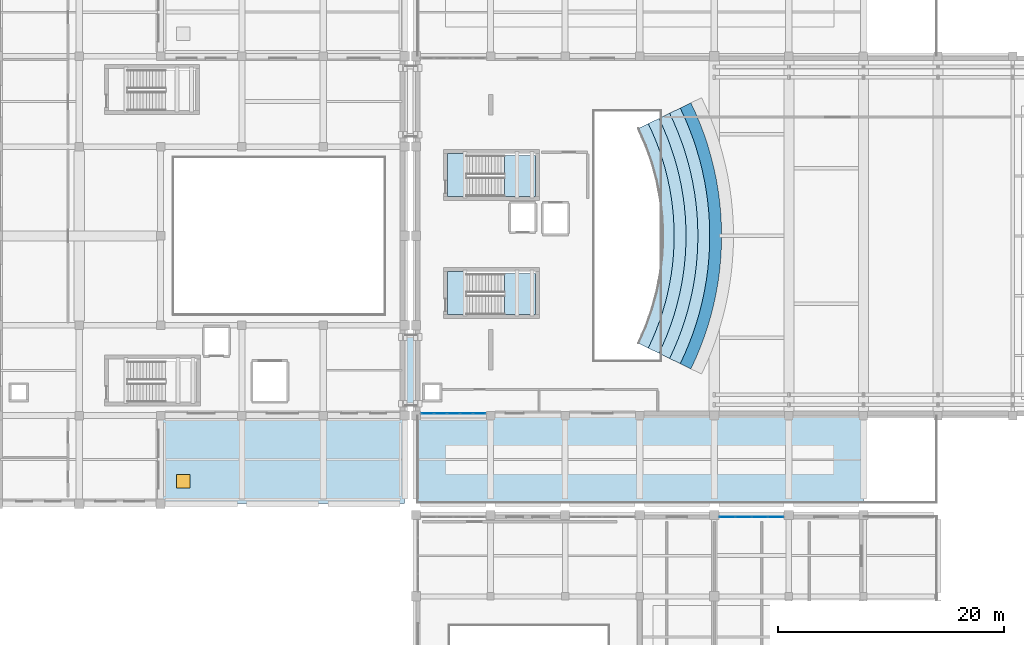
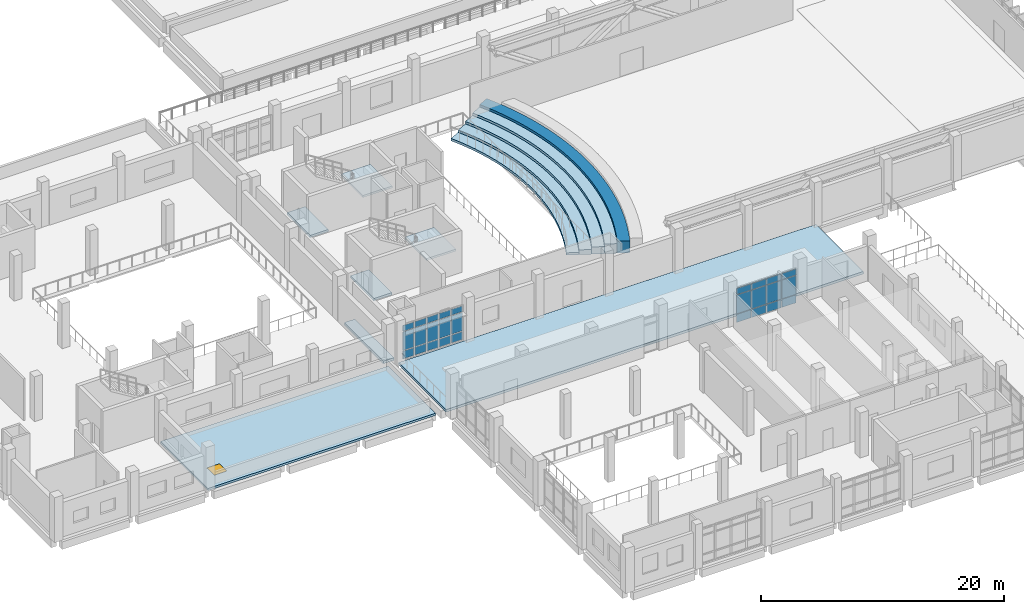
# One storey, part 28 of 54: 27 plates, 12 slabs, 1 window, 1 opening, 4 elements without a shape of their own.
"""IFC4 building model written with IfcOpenShell, lengths in metres."""

import ifcopenshell
import ifcopenshell.guid

model = None  # the IFC model being written
_history = None  # IfcOwnerHistory: only IFC2X3 demands one
_inside = {}  # id of a spatial element -> (the spatial element, [elements in it])
_under = {}  # id of a project, library or spatial element -> (it, [spatial elements below it])
_declared = {}  # id of a project -> (the project, [libraries it declares])
_typed = {}  # id of a type object -> (the type object, [elements of that type])
_made_of = {}  # id of a material, layer set ... -> (it, [elements and type objects made of it])


def new_model(schema):
    """Start an empty IFC model of exactly this schema.

    Asked for "IFC4X3", IfcOpenShell would pick the latest addendum, in which some entities
    have other attributes; the version numbers below select the first issue.
    IFC2X3 requires an IfcOwnerHistory on every rooted entity: one is made here for all.
    """
    global model, _history
    if schema == "IFC4X3":
        model = ifcopenshell.file(schema_version=(4, 3, 0, 0))
    else:
        model = ifcopenshell.file(schema=schema)
    _inside.clear()
    _under.clear()
    _declared.clear()
    _typed.clear()
    _made_of.clear()
    _history = None
    if model.schema == "IFC2X3":
        org = make("IfcOrganization", Name="unknown")
        user = make(
            "IfcPersonAndOrganization",
            ThePerson=make("IfcPerson", FamilyName="unknown"),
            TheOrganization=org,
        )
        app = make(
            "IfcApplication",
            ApplicationDeveloper=org,
            Version="unknown",
            ApplicationFullName="unknown",
            ApplicationIdentifier="unknown",
        )
        _history = make(
            "IfcOwnerHistory",
            OwningUser=user,
            OwningApplication=app,
            ChangeAction="ADDED",
            CreationDate=0,
        )
    return model


def make(cls, **values):
    """One entity of the class cls with the attributes given. An attribute that is None is left unset."""
    return model.create_entity(
        cls, **{name: value for name, value in values.items() if value is not None}
    )


def rooted(cls, **values):
    """An entity with a GlobalId (a new one), such as an element, a storey or a relation."""
    return make(cls, GlobalId=ifcopenshell.guid.new(), OwnerHistory=_history, **values)


def si_unit(unit_type, name, prefix=None):
    """IfcSIUnit, for example si_unit("LENGTHUNIT", "METRE", prefix="MILLI")."""
    return make("IfcSIUnit", UnitType=unit_type, Prefix=prefix, Name=name)


def assignment(units):
    """IfcUnitAssignment: the units of a project."""
    return None if units is None else make("IfcUnitAssignment", Units=units)


def point(xyz):
    """IfcCartesianPoint."""
    return None if xyz is None else make("IfcCartesianPoint", Coordinates=xyz)


def direction(xyz):
    """IfcDirection."""
    return None if xyz is None else make("IfcDirection", DirectionRatios=xyz)


def frame(location, z_axis=None, x_axis=None):
    """IfcAxis2Placement3D, a coordinate frame: its origin and axes. An axis left out is left unset."""
    return make(
        "IfcAxis2Placement3D",
        Location=point(location),
        Axis=direction(z_axis),
        RefDirection=direction(x_axis),
    )


def frame_2d(location, x_axis=None):
    """IfcAxis2Placement2D, a coordinate frame in the plane: its origin and x axis."""
    return make(
        "IfcAxis2Placement2D", Location=point(location), RefDirection=direction(x_axis)
    )


def origin():
    """The frame at (0, 0, 0) with its axes left unset."""
    return frame((0.0, 0.0, 0.0))


def origin_2d():
    """The frame at (0, 0) in the plane with its x axis left unset."""
    return frame_2d((0.0, 0.0))


def place(relative_to, where):
    """IfcLocalPlacement: puts the frame where relative to a parent placement (None: the world)."""
    return make(
        "IfcLocalPlacement", PlacementRelTo=relative_to, RelativePlacement=where
    )


def context(
    kind, dimensions, precision=None, world=None, true_north=None, identifier=None
):
    """IfcGeometricRepresentationContext, for example the 3D "Model" context."""
    return make(
        "IfcGeometricRepresentationContext",
        ContextIdentifier=identifier,
        ContextType=kind,
        CoordinateSpaceDimension=dimensions,
        Precision=precision,
        WorldCoordinateSystem=world,
        TrueNorth=true_north,
    )


def subcontext(parent, identifier, kind, view, scale=None):
    """IfcGeometricRepresentationSubContext, for example "Body" below "Model"."""
    return make(
        "IfcGeometricRepresentationSubContext",
        ContextIdentifier=identifier,
        ContextType=kind,
        ParentContext=parent,
        TargetScale=scale,
        TargetView=view,
    )


def project(units=None, contexts=None):
    """IfcProject with its units and contexts."""
    return rooted(
        "IfcProject",
        Name="project",
        RepresentationContexts=contexts,
        UnitsInContext=assignment(units),
    )


def spatial(cls, under=None, at=None, **own):
    """A site, building, storey or space (cls), placed at a placement, below another one or the project."""
    s = rooted(cls, ObjectPlacement=at, **own)
    if under is not None:
        _under.setdefault(under.id(), (under, []))[1].append(s)
    return s


def polyline(points):
    """IfcPolyline through the points."""
    return make("IfcPolyline", Points=[point(p) for p in points])


def profile(cls, at=None, kind="AREA", **sizes):
    """A parametric profile (cls). Its sizes go by their IFC names, for example OverallWidth=200.0."""
    return make(cls, ProfileType=kind, Position=at, **sizes)


def rectangle(**sizes):
    """IfcRectangleProfileDef."""
    return profile("IfcRectangleProfileDef", **sizes)


def outline(outer, holes=None, kind="AREA"):
    """IfcArbitraryClosedProfileDef: a profile drawn as a closed curve; with holes, ...WithVoids."""
    if holes is None:
        return make("IfcArbitraryClosedProfileDef", ProfileType=kind, OuterCurve=outer)
    return make(
        "IfcArbitraryProfileDefWithVoids",
        ProfileType=kind,
        OuterCurve=outer,
        InnerCurves=holes,
    )


def extrude(swept, where, along, depth):
    """IfcExtrudedAreaSolid: the profile swept, set in the frame where, extruded along a direction by depth."""
    return make(
        "IfcExtrudedAreaSolid",
        SweptArea=swept,
        Position=where,
        ExtrudedDirection=direction(along),
        Depth=depth,
    )


def shape(context_of_items, identifier, shape_type, items):
    """IfcShapeRepresentation: the items that make up one representation, for example the "Body"."""
    return make(
        "IfcShapeRepresentation",
        ContextOfItems=context_of_items,
        RepresentationIdentifier=identifier,
        RepresentationType=shape_type,
        Items=items,
    )


def material(Name=None, Category=None):
    """IfcMaterial."""
    return make("IfcMaterial", Name=Name, Category=Category)


def layer(
    of_material, thickness, ventilated=None, Name=None, Category=None, Priority=None
):
    """IfcMaterialLayer: one layer of a wall or slab, of a material (None: an air gap)."""
    return make(
        "IfcMaterialLayer",
        Material=of_material,
        LayerThickness=thickness,
        IsVentilated=ventilated,
        Name=Name,
        Category=Category,
        Priority=Priority,
    )


def layer_set(layers, Name=None):
    """IfcMaterialLayerSet."""
    return make("IfcMaterialLayerSet", MaterialLayers=layers, LayerSetName=Name)


def made_of(thing, what):
    """Note that an element or type object is made of a material, layer set ...; save() writes the relation."""
    if what is not None:
        _made_of.setdefault(what.id(), (what, []))[1].append(thing)
    return thing


def type_object(cls, material=None, **own):
    """A type object (cls), such as IfcWallType, which elements share."""
    return made_of(rooted(cls, **own), material)


def element(
    cls,
    number,
    at=None,
    inside=None,
    cuts=None,
    type_object=None,
    material=None,
    context=None,
    identifier="Body",
    shape_type=None,
    held_by="IfcProductDefinitionShape",
    body=None,
    shapes=None,
    **own,
):
    """One element of the class cls, such as IfcWall. Its Tag is "e" and its number.

    at: its placement. inside: the storey or other place that contains it. cuts: it is an
    opening in that element (IfcRelVoidsElement). A single representation is given by context,
    identifier, shape_type and body (its items); several are given by shapes. held_by: the class
    of the entity that holds the representations. save() writes the other relations.
    """
    e = rooted(cls, Tag="e%d" % number, ObjectPlacement=at, **own)
    if body is not None:
        shapes = [shape(context, identifier, shape_type, body)]
    if shapes is not None:
        e.Representation = make(held_by, Representations=shapes)
    if inside is not None:
        _inside.setdefault(inside.id(), (inside, []))[1].append(e)
    if cuts is not None:
        rooted(
            "IfcRelVoidsElement", RelatingBuildingElement=cuts, RelatedOpeningElement=e
        )
    if type_object is not None:
        _typed.setdefault(type_object.id(), (type_object, []))[1].append(e)
    return made_of(e, material)


def fill(opening, filler):
    """IfcRelFillsElement: the door or window that sits in an opening."""
    return rooted(
        "IfcRelFillsElement",
        RelatingOpeningElement=opening,
        RelatedBuildingElement=filler,
    )


def aggregate(whole, parts):
    """IfcRelAggregates: a whole, such as a stair, and the parts it consists of."""
    return rooted("IfcRelAggregates", RelatingObject=whole, RelatedObjects=parts)


def save(model, path):
    """Write the relations noted so far, then the file.

    IfcRelAggregates (storeys below a building ...), IfcRelContainedInSpatialStructure (elements
    in a storey), IfcRelDefinesByType, IfcRelAssociatesMaterial and IfcRelDeclares: one each for
    every whole, place, type object, material and project.
    """
    for whole, parts in _under.values():
        aggregate(whole, parts)
    for where, things in _inside.values():
        rooted(
            "IfcRelContainedInSpatialStructure",
            RelatedElements=things,
            RelatingStructure=where,
        )
    for kind, things in _typed.values():
        rooted("IfcRelDefinesByType", RelatedObjects=things, RelatingType=kind)
    for what, things in _made_of.values():
        rooted("IfcRelAssociatesMaterial", RelatedObjects=things, RelatingMaterial=what)
    for by, libraries in _declared.values():
        rooted("IfcRelDeclares", RelatingContext=by, RelatedDefinitions=libraries)
    model.write(path)


model = new_model("IFC4")

# Units and contexts
model_context = context("Model", 3, precision=1e-05, world=origin(), true_north=direction((0.0, 1.0)))
body_context = subcontext(model_context, "Body", "Model", "MODEL_VIEW")
ifc_project = project(units=[si_unit("LENGTHUNIT", "METRE"), si_unit("AREAUNIT", "SQUARE_METRE"), si_unit("VOLUMEUNIT", "CUBIC_METRE"), si_unit("PLANEANGLEUNIT", "RADIAN"), si_unit("MASSUNIT", "GRAM", prefix="KILO")], contexts=[model_context])

# Site, building, storey
site_placement = place(None, origin())
site = spatial("IfcSite", under=ifc_project, at=site_placement, CompositionType="ELEMENT")
building_placement = place(site_placement, origin())
building = spatial("IfcBuilding", under=site, at=building_placement, Name="Kelarvand Opera House", CompositionType="ELEMENT")
storey_placement = place(building_placement, frame((0.0, 0.0, 15.0)))
storey = spatial("IfcBuildingStorey", under=building, at=storey_placement, Name="L03", CompositionType="ELEMENT", Elevation=15.0)

# Curtain wall, plates
ifc_material_1 = material(Name="Thermally broken aluminium and low-E glazing", Category="aluminium")
ifc_layer_1 = layer(ifc_material_1, 0.219970703125, Name="Thermally broken aluminium and low-E glazing", Category="aluminium")
ifc_layer_set_1 = layer_set([ifc_layer_1], Name="Thermally broken aluminium and low-E glazing")
curtain_wall_type_1 = type_object("IfcCurtainWallType", Name="Unitised Low-E Curtain Wall 5795x3520 Mod 1150 CWF-08", PredefinedType="USERDEFINED", material=ifc_layer_set_1)
curtain_wall_1_placement = place(storey_placement, origin())
curtain_wall_1 = element("IfcCurtainWall", 1, at=curtain_wall_1_placement, inside=storey, type_object=curtain_wall_type_1, Name="V1 L03 Curtain Wall CWF-08 (24)", ObjectType="UNITISED CURTAIN WALL", PredefinedType="USERDEFINED")
ifc_material_2 = material(Name="Acoustic triple-laminated low-E glazing", Category="glass")
ifc_layer_2 = layer(ifc_material_2, 0.0400390625, Name="Acoustic triple-laminated low-E glazing", Category="glass")
ifc_layer_set_2 = layer_set([ifc_layer_2], Name="Acoustic triple-laminated low-E glazing")
plate_type_1 = type_object("IfcPlateType", Name="Acoustic Laminated Plaza Curtain Panel 40mm", PredefinedType="CURTAIN_PANEL", material=ifc_layer_set_2)
plate_1_placement = place(storey_placement, frame((94.61669921875, 46.780029296875, 0.074951171875), z_axis=(0.0, 0.0, 1.0), x_axis=(-1.0, 0.0, 0.0)))
plate_1 = element("IfcPlate", 2, at=plate_1_placement, type_object=plate_type_1, Name="CWF-08 panel 1.1", PredefinedType="CURTAIN_PANEL", context=body_context, shape_type="SweptSolid", body=[
    extrude(rectangle(XDim=1.04638671875, YDim=0.0400390625, at=origin_2d()), origin(), (0.0, 0.0, 1.0), 0.78759765625),
])
plate_2_placement = place(storey_placement, frame((94.61669921875, 46.780029296875, 0.9375), z_axis=(0.0, 0.0, 1.0), x_axis=(-1.0, 0.0, 0.0)))
plate_2 = element("IfcPlate", 3, at=plate_2_placement, type_object=plate_type_1, Name="CWF-08 panel 1.2", PredefinedType="CURTAIN_PANEL", context=body_context, shape_type="SweptSolid", body=[
    extrude(rectangle(XDim=1.04638671875, YDim=0.0400390625, at=origin_2d()), origin(), (0.0, 0.0, 1.0), 1.844970703125),
])
plate_3_placement = place(storey_placement, frame((94.61669921875, 46.780029296875, 2.857666015625), z_axis=(0.0, 0.0, 1.0), x_axis=(-1.0, 0.0, 0.0)))
plate_3 = element("IfcPlate", 4, at=plate_3_placement, type_object=plate_type_1, Name="CWF-08 panel 1.3", PredefinedType="CURTAIN_PANEL", context=body_context, shape_type="SweptSolid", body=[
    extrude(rectangle(XDim=1.04638671875, YDim=0.0400390625, at=origin_2d()), origin(), (0.0, 0.0, 1.0), 0.58740234375),
])
plate_4_placement = place(storey_placement, frame((93.4765625, 46.780029296875, 0.074951171875), z_axis=(0.0, 0.0, 1.0), x_axis=(-1.0, 0.0, 0.0)))
plate_4 = element("IfcPlate", 5, at=plate_4_placement, type_object=plate_type_1, Name="CWF-08 panel 2.1", PredefinedType="CURTAIN_PANEL", context=body_context, shape_type="SweptSolid", body=[
    extrude(rectangle(XDim=1.083984375, YDim=0.0400390625, at=origin_2d()), origin(), (0.0, 0.0, 1.0), 0.78759765625),
])
plate_5_placement = place(storey_placement, frame((93.4765625, 46.780029296875, 0.9375), z_axis=(0.0, 0.0, 1.0), x_axis=(-1.0, 0.0, 0.0)))
plate_5 = element("IfcPlate", 6, at=plate_5_placement, type_object=plate_type_1, Name="CWF-08 panel 2.2", PredefinedType="CURTAIN_PANEL", context=body_context, shape_type="SweptSolid", body=[
    extrude(rectangle(XDim=1.083984375, YDim=0.0400390625, at=origin_2d()), origin(), (0.0, 0.0, 1.0), 1.844970703125),
])
plate_6_placement = place(storey_placement, frame((93.4765625, 46.780029296875, 2.857666015625), z_axis=(0.0, 0.0, 1.0), x_axis=(-1.0, 0.0, 0.0)))
plate_6 = element("IfcPlate", 7, at=plate_6_placement, type_object=plate_type_1, Name="CWF-08 panel 2.3", PredefinedType="CURTAIN_PANEL", context=body_context, shape_type="SweptSolid", body=[
    extrude(rectangle(XDim=1.083984375, YDim=0.0400390625, at=origin_2d()), origin(), (0.0, 0.0, 1.0), 0.58740234375),
])
plate_7_placement = place(storey_placement, frame((92.3173828125, 46.780029296875, 0.074951171875), z_axis=(0.0, 0.0, 1.0), x_axis=(-1.0, 0.0, 0.0)))
plate_7 = element("IfcPlate", 8, at=plate_7_placement, type_object=plate_type_1, Name="CWF-08 panel 3.1", PredefinedType="CURTAIN_PANEL", context=body_context, shape_type="SweptSolid", body=[
    extrude(rectangle(XDim=1.083984375, YDim=0.0400390625, at=origin_2d()), origin(), (0.0, 0.0, 1.0), 0.78759765625),
])
plate_8_placement = place(storey_placement, frame((92.3173828125, 46.780029296875, 0.9375), z_axis=(0.0, 0.0, 1.0), x_axis=(-1.0, 0.0, 0.0)))
plate_8 = element("IfcPlate", 9, at=plate_8_placement, type_object=plate_type_1, Name="CWF-08 panel 3.2", PredefinedType="CURTAIN_PANEL", context=body_context, shape_type="SweptSolid", body=[
    extrude(rectangle(XDim=1.083984375, YDim=0.0400390625, at=origin_2d()), origin(), (0.0, 0.0, 1.0), 1.844970703125),
])
plate_9_placement = place(storey_placement, frame((92.3173828125, 46.780029296875, 2.857666015625), z_axis=(0.0, 0.0, 1.0), x_axis=(-1.0, 0.0, 0.0)))
plate_9 = element("IfcPlate", 10, at=plate_9_placement, type_object=plate_type_1, Name="CWF-08 panel 3.3", PredefinedType="CURTAIN_PANEL", context=body_context, shape_type="SweptSolid", body=[
    extrude(rectangle(XDim=1.083984375, YDim=0.0400390625, at=origin_2d()), origin(), (0.0, 0.0, 1.0), 0.58740234375),
])
plate_10_placement = place(storey_placement, frame((91.158447265625, 46.780029296875, 0.074951171875), z_axis=(0.0, 0.0, 1.0), x_axis=(-1.0, 0.0, 0.0)))
plate_10 = element("IfcPlate", 11, at=plate_10_placement, type_object=plate_type_1, Name="CWF-08 panel 4.1", PredefinedType="CURTAIN_PANEL", context=body_context, shape_type="SweptSolid", body=[
    extrude(rectangle(XDim=1.083984375, YDim=0.0400390625, at=origin_2d()), origin(), (0.0, 0.0, 1.0), 0.78759765625),
])
plate_11_placement = place(storey_placement, frame((91.158447265625, 46.780029296875, 0.9375), z_axis=(0.0, 0.0, 1.0), x_axis=(-1.0, 0.0, 0.0)))
plate_11 = element("IfcPlate", 12, at=plate_11_placement, type_object=plate_type_1, Name="CWF-08 panel 4.2", PredefinedType="CURTAIN_PANEL", context=body_context, shape_type="SweptSolid", body=[
    extrude(rectangle(XDim=1.083984375, YDim=0.0400390625, at=origin_2d()), origin(), (0.0, 0.0, 1.0), 1.844970703125),
])
plate_12_placement = place(storey_placement, frame((91.158447265625, 46.780029296875, 2.857666015625), z_axis=(0.0, 0.0, 1.0), x_axis=(-1.0, 0.0, 0.0)))
plate_12 = element("IfcPlate", 13, at=plate_12_placement, type_object=plate_type_1, Name="CWF-08 panel 4.3", PredefinedType="CURTAIN_PANEL", context=body_context, shape_type="SweptSolid", body=[
    extrude(rectangle(XDim=1.083984375, YDim=0.0400390625, at=origin_2d()), origin(), (0.0, 0.0, 1.0), 0.58740234375),
])
plate_13_placement = place(storey_placement, frame((90.018310546875, 46.780029296875, 0.074951171875), z_axis=(0.0, 0.0, 1.0), x_axis=(-1.0, 0.0, 0.0)))
plate_13 = element("IfcPlate", 14, at=plate_13_placement, type_object=plate_type_1, Name="CWF-08 panel 5.1", PredefinedType="CURTAIN_PANEL", context=body_context, shape_type="SweptSolid", body=[
    extrude(rectangle(XDim=1.04638671875, YDim=0.0400390625, at=origin_2d()), origin(), (0.0, 0.0, 1.0), 0.78759765625),
])
plate_14_placement = place(storey_placement, frame((90.018310546875, 46.780029296875, 0.9375), z_axis=(0.0, 0.0, 1.0), x_axis=(-1.0, 0.0, 0.0)))
plate_14 = element("IfcPlate", 15, at=plate_14_placement, type_object=plate_type_1, Name="CWF-08 panel 5.2", PredefinedType="CURTAIN_PANEL", context=body_context, shape_type="SweptSolid", body=[
    extrude(rectangle(XDim=1.04638671875, YDim=0.0400390625, at=origin_2d()), origin(), (0.0, 0.0, 1.0), 1.844970703125),
])
plate_15_placement = place(storey_placement, frame((90.018310546875, 46.780029296875, 2.857666015625), z_axis=(0.0, 0.0, 1.0), x_axis=(-1.0, 0.0, 0.0)))
plate_15 = element("IfcPlate", 16, at=plate_15_placement, type_object=plate_type_1, Name="CWF-08 panel 5.3", PredefinedType="CURTAIN_PANEL", context=body_context, shape_type="SweptSolid", body=[
    extrude(rectangle(XDim=1.04638671875, YDim=0.0400390625, at=origin_2d()), origin(), (0.0, 0.0, 1.0), 0.58740234375),
])
aggregate(curtain_wall_1, [plate_1, plate_2, plate_3, plate_4, plate_5, plate_6, plate_7, plate_8, plate_9, plate_10, plate_11, plate_12, plate_13, plate_14, plate_15])

# Slabs
ifc_material_3 = material(Name="Concrete C35/45", Category="concrete")
ifc_layer_3 = layer(ifc_material_3, 0.219970703125, Name="Concrete C35/45", Category="concrete")
ifc_layer_set_3 = layer_set([ifc_layer_3], Name="Concrete C35/45")
slab_type_1 = type_object("IfcSlabType", Name="Core Stair Entry Landing Slab 220", PredefinedType="LANDING", material=ifc_layer_set_3)
slab_1_placement = place(storey_placement, frame((0.0, 0.0, -0.219970703125)))
element("IfcSlab", 17, at=slab_1_placement, inside=storey, type_object=slab_type_1, Name="C1 Stair Entry Landing L03", PredefinedType="LANDING", context=body_context, shape_type="SweptSolid", body=[
    extrude(outline(polyline([(91.800048828125, 66.0), (93.52001953125, 66.0), (93.52001953125, 69.800048828125), (91.800048828125, 69.800048828125), (91.800048828125, 66.0)])), origin(), (0.0, 0.0, 1.0), 0.219970703125),
])
slab_2_placement = place(storey_placement, frame((0.0, 0.0, -0.219970703125)))
element("IfcSlab", 18, at=slab_2_placement, inside=storey, type_object=slab_type_1, Name="C4 Stair Entry Landing L03", PredefinedType="LANDING", context=body_context, shape_type="SweptSolid", body=[
    extrude(outline(polyline([(91.800048828125, 55.550048828125), (93.52001953125, 55.550048828125), (93.52001953125, 59.35009765625), (91.800048828125, 59.35009765625), (91.800048828125, 55.550048828125)])), origin(), (0.0, 0.0, 1.0), 0.219970703125),
])

# Slab, opening, window
ifc_layer_4 = layer(ifc_material_3, 0.219970703125, Name="Concrete C35/45", Category="concrete")
ifc_layer_set_4 = layer_set([ifc_layer_4], Name="Concrete C35/45")
slab_type_2 = type_object("IfcSlabType", Name="Flat Structural Roof Slab 220", PredefinedType="ROOF", material=ifc_layer_set_4)
slab_3_placement = place(storey_placement, frame((0.0, 0.0, -0.219970703125)))
slab_3 = element("IfcSlab", 19, at=slab_3_placement, inside=storey, type_object=slab_type_2, Name="V2 Flat Roof Slab L03 1", PredefinedType="ROOF", context=body_context, shape_type="SweptSolid", body=[
    extrude(outline(polyline([(66.39990234375, 38.800048828125), (88.0, 38.800048828125), (88.0, 46.60009765625), (66.39990234375, 46.60009765625), (66.39990234375, 38.800048828125)])), origin(), (0.0, 0.0, 1.0), 0.219970703125),
])
opening_placement = place(slab_3_placement, frame((68.39990234375, 40.800048828125, 0.0)))
opening = element("IfcOpeningElement", 20, at=opening_placement, cuts=slab_3, Name="Opening RH-01", PredefinedType="OPENING", context=body_context, shape_type="SweptSolid", body=[
    extrude(rectangle(XDim=1.199951171875, YDim=1.199951171875, at=origin_2d()), frame((0.0, 0.0, -0.010009765625)), (0.0, 0.0, 1.0), 0.239990234375),
])
ifc_material_4 = material(Name="Insulated aluminium roof access hatch", Category="aluminium")
window_type = type_object("IfcWindowType", Name="Insulated Flat-Roof Maintenance Access Hatch 1200x1200", PartitioningType="SINGLE_PANEL", PredefinedType="SKYLIGHT", material=ifc_material_4)
window_placement = place(opening_placement, frame((0.0, 0.0, 0.169921875)))
window = element("IfcWindow", 21, at=window_placement, inside=storey, type_object=window_type, Name="V2 Maintenance Roof Hatch 2", OverallHeight=1.199951171875, OverallWidth=1.199951171875, PartitioningType="SINGLE_PANEL", PredefinedType="SKYLIGHT", context=body_context, shape_type="SweptSolid", body=[
    extrude(rectangle(XDim=1.199951171875, YDim=1.199951171875, at=origin_2d()), origin(), (0.0, 0.0, 1.0), 0.050048828125),
])
fill(opening, window)

# Curtain wall, plates
ifc_layer_5 = layer(ifc_material_1, 0.179931640625, Name="Thermally broken aluminium and low-E glazing", Category="aluminium")
ifc_layer_set_5 = layer_set([ifc_layer_5], Name="Thermally broken aluminium and low-E glazing")
curtain_wall_type_2 = type_object("IfcCurtainWallType", Name="Unitised Low-E Curtain Wall 5760x3530 Mod 1350 CWF-58", PredefinedType="USERDEFINED", material=ifc_layer_set_5)
curtain_wall_2_placement = place(storey_placement, origin())
curtain_wall_2 = element("IfcCurtainWall", 22, at=curtain_wall_2_placement, inside=storey, type_object=curtain_wall_type_2, Name="V6 L03 Curtain Wall CWF-58 (233)", ObjectType="UNITISED CURTAIN WALL", PredefinedType="USERDEFINED")
ifc_material_5 = material(Name="Low-E laminated double glazing", Category="glass")
ifc_layer_6 = layer(ifc_material_5, 0.031982421875, Name="Low-E laminated double glazing", Category="glass")
ifc_layer_set_6 = layer_set([ifc_layer_6], Name="Low-E laminated double glazing")
plate_type_2 = type_object("IfcPlateType", Name="Low-E Argon Double Glazed Curtain Panel 32mm", PredefinedType="CURTAIN_PANEL", material=ifc_layer_set_6)
plate_16_placement = place(storey_placement, frame((116.55615234375, 37.6201171875, 0.06494140625), z_axis=(0.0, 0.0, 1.0), x_axis=(1.0, 0.0, 0.0)))
plate_16 = element("IfcPlate", 23, at=plate_16_placement, type_object=plate_type_2, Name="CWF-58 panel 1.1", PredefinedType="CURTAIN_PANEL", context=body_context, shape_type="SweptSolid", body=[
    extrude(rectangle(XDim=1.342529296875, YDim=0.031982421875, at=origin_2d()), origin(), (0.0, 0.0, 1.0), 0.802490234375),
])
plate_17_placement = place(storey_placement, frame((116.55615234375, 37.6201171875, 0.9326171875), z_axis=(0.0, 0.0, 1.0), x_axis=(1.0, 0.0, 0.0)))
plate_17 = element("IfcPlate", 24, at=plate_17_placement, type_object=plate_type_2, Name="CWF-58 panel 1.2", PredefinedType="CURTAIN_PANEL", context=body_context, shape_type="SweptSolid", body=[
    extrude(rectangle(XDim=1.342529296875, YDim=0.031982421875, at=origin_2d()), origin(), (0.0, 0.0, 1.0), 1.864990234375),
])
plate_18_placement = place(storey_placement, frame((116.55615234375, 37.6201171875, 2.862548828125), z_axis=(0.0, 0.0, 1.0), x_axis=(1.0, 0.0, 0.0)))
plate_18 = element("IfcPlate", 25, at=plate_18_placement, type_object=plate_type_2, Name="CWF-58 panel 1.3", PredefinedType="CURTAIN_PANEL", context=body_context, shape_type="SweptSolid", body=[
    extrude(rectangle(XDim=1.342529296875, YDim=0.031982421875, at=origin_2d()), origin(), (0.0, 0.0, 1.0), 0.6025390625),
])
plate_19_placement = place(storey_placement, frame((117.97998046875, 37.6201171875, 0.06494140625), z_axis=(0.0, 0.0, 1.0), x_axis=(1.0, 0.0, 0.0)))
plate_19 = element("IfcPlate", 26, at=plate_19_placement, type_object=plate_type_2, Name="CWF-58 panel 2.1", PredefinedType="CURTAIN_PANEL", context=body_context, shape_type="SweptSolid", body=[
    extrude(rectangle(XDim=1.375, YDim=0.031982421875, at=origin_2d()), origin(), (0.0, 0.0, 1.0), 0.802490234375),
])
plate_20_placement = place(storey_placement, frame((117.97998046875, 37.6201171875, 0.9326171875), z_axis=(0.0, 0.0, 1.0), x_axis=(1.0, 0.0, 0.0)))
plate_20 = element("IfcPlate", 27, at=plate_20_placement, type_object=plate_type_2, Name="CWF-58 panel 2.2", PredefinedType="CURTAIN_PANEL", context=body_context, shape_type="SweptSolid", body=[
    extrude(rectangle(XDim=1.375, YDim=0.031982421875, at=origin_2d()), origin(), (0.0, 0.0, 1.0), 1.864990234375),
])
plate_21_placement = place(storey_placement, frame((117.97998046875, 37.6201171875, 2.862548828125), z_axis=(0.0, 0.0, 1.0), x_axis=(1.0, 0.0, 0.0)))
plate_21 = element("IfcPlate", 28, at=plate_21_placement, type_object=plate_type_2, Name="CWF-58 panel 2.3", PredefinedType="CURTAIN_PANEL", context=body_context, shape_type="SweptSolid", body=[
    extrude(rectangle(XDim=1.375, YDim=0.031982421875, at=origin_2d()), origin(), (0.0, 0.0, 1.0), 0.6025390625),
])
plate_22_placement = place(storey_placement, frame((119.419921875, 37.6201171875, 0.06494140625), z_axis=(0.0, 0.0, 1.0), x_axis=(1.0, 0.0, 0.0)))
plate_22 = element("IfcPlate", 29, at=plate_22_placement, type_object=plate_type_2, Name="CWF-58 panel 3.1", PredefinedType="CURTAIN_PANEL", context=body_context, shape_type="SweptSolid", body=[
    extrude(rectangle(XDim=1.375, YDim=0.031982421875, at=origin_2d()), origin(), (0.0, 0.0, 1.0), 0.802490234375),
])
plate_23_placement = place(storey_placement, frame((119.419921875, 37.6201171875, 0.9326171875), z_axis=(0.0, 0.0, 1.0), x_axis=(1.0, 0.0, 0.0)))
plate_23 = element("IfcPlate", 30, at=plate_23_placement, type_object=plate_type_2, Name="CWF-58 panel 3.2", PredefinedType="CURTAIN_PANEL", context=body_context, shape_type="SweptSolid", body=[
    extrude(rectangle(XDim=1.375, YDim=0.031982421875, at=origin_2d()), origin(), (0.0, 0.0, 1.0), 1.864990234375),
])
plate_24_placement = place(storey_placement, frame((119.419921875, 37.6201171875, 2.862548828125), z_axis=(0.0, 0.0, 1.0), x_axis=(1.0, 0.0, 0.0)))
plate_24 = element("IfcPlate", 31, at=plate_24_placement, type_object=plate_type_2, Name="CWF-58 panel 3.3", PredefinedType="CURTAIN_PANEL", context=body_context, shape_type="SweptSolid", body=[
    extrude(rectangle(XDim=1.375, YDim=0.031982421875, at=origin_2d()), origin(), (0.0, 0.0, 1.0), 0.6025390625),
])
plate_25_placement = place(storey_placement, frame((120.84375, 37.6201171875, 0.06494140625), z_axis=(0.0, 0.0, 1.0), x_axis=(1.0, 0.0, 0.0)))
plate_25 = element("IfcPlate", 32, at=plate_25_placement, type_object=plate_type_2, Name="CWF-58 panel 4.1", PredefinedType="CURTAIN_PANEL", context=body_context, shape_type="SweptSolid", body=[
    extrude(rectangle(XDim=1.342529296875, YDim=0.031982421875, at=origin_2d()), origin(), (0.0, 0.0, 1.0), 0.802490234375),
])
plate_26_placement = place(storey_placement, frame((120.84375, 37.6201171875, 0.9326171875), z_axis=(0.0, 0.0, 1.0), x_axis=(1.0, 0.0, 0.0)))
plate_26 = element("IfcPlate", 33, at=plate_26_placement, type_object=plate_type_2, Name="CWF-58 panel 4.2", PredefinedType="CURTAIN_PANEL", context=body_context, shape_type="SweptSolid", body=[
    extrude(rectangle(XDim=1.342529296875, YDim=0.031982421875, at=origin_2d()), origin(), (0.0, 0.0, 1.0), 1.864990234375),
])
plate_27_placement = place(storey_placement, frame((120.84375, 37.6201171875, 2.862548828125), z_axis=(0.0, 0.0, 1.0), x_axis=(1.0, 0.0, 0.0)))
plate_27 = element("IfcPlate", 34, at=plate_27_placement, type_object=plate_type_2, Name="CWF-58 panel 4.3", PredefinedType="CURTAIN_PANEL", context=body_context, shape_type="SweptSolid", body=[
    extrude(rectangle(XDim=1.342529296875, YDim=0.031982421875, at=origin_2d()), origin(), (0.0, 0.0, 1.0), 0.6025390625),
])
aggregate(curtain_wall_2, [plate_16, plate_17, plate_18, plate_19, plate_20, plate_21, plate_22, plate_23, plate_24, plate_25, plate_26, plate_27])

# Slab
ifc_layer_7 = layer(ifc_material_3, 0.25, Name="Concrete C35/45", Category="concrete")
ifc_layer_set_7 = layer_set([ifc_layer_7], Name="Concrete C35/45")
slab_type_3 = type_object("IfcSlabType", Name="Planted Roof Garden Terrace Slab 250", PredefinedType="FLOOR", material=ifc_layer_set_7)
slab_4_placement = place(storey_placement, frame((0.0, 0.0, -0.25)))
element("IfcSlab", 35, at=slab_4_placement, inside=storey, type_object=slab_type_3, Name="V1 L03 Planted Roof Terrace 1", PredefinedType="FLOOR", context=body_context, shape_type="SweptSolid", body=[
    extrude(outline(polyline([(89.0, 38.800048828125), (128.60009765625, 38.800048828125), (128.60009765625, 46.60009765625), (89.0, 46.60009765625), (89.0, 38.800048828125)])), origin(), (0.0, 0.0, 1.0), 0.25),
])

# Stair, slab
stair_type = type_object("IfcStairType", Name="Dogleg Concrete Exit Stair 1660mm 26R STA-03", PredefinedType="HALF_TURN_STAIR", material=ifc_material_3)
stair_1_placement = place(storey_placement, origin())
stair_1 = element("IfcStair", 36, at=stair_1_placement, inside=storey, type_object=stair_type, Name="L03 Auditorium North Firefighting and Public Core C1 Stair ST-01", PredefinedType="HALF_TURN_STAIR")
ifc_layer_8 = layer(ifc_material_3, 0.199951171875, Name="Concrete C35/45", Category="concrete")
ifc_layer_set_8 = layer_set([ifc_layer_8], Name="Concrete C35/45")
slab_type_4 = type_object("IfcSlabType", Name="Precast Stair Half-Landing Slab 200", PredefinedType="LANDING", material=ifc_layer_set_8)
slab_5_placement = place(storey_placement, frame((0.0, 0.0, 2.050048828125)))
slab_5 = element("IfcSlab", 37, at=slab_5_placement, type_object=slab_type_4, Name="ST-01 landing 1", PredefinedType="LANDING", context=body_context, shape_type="SweptSolid", body=[
    extrude(outline(polyline([(96.820068359375, 66.0), (99.60009765625, 66.0), (99.60009765625, 69.60009765625), (96.820068359375, 69.60009765625), (96.820068359375, 66.0)])), origin(), (0.0, 0.0, 1.0), 0.199951171875),
])
aggregate(stair_1, [slab_5])

stair_2_placement = place(storey_placement, origin())
stair_2 = element("IfcStair", 38, at=stair_2_placement, inside=storey, type_object=stair_type, Name="L03 Auditorium South Foyer Core C4 Stair ST-04", PredefinedType="HALF_TURN_STAIR")
slab_6_placement = place(storey_placement, frame((0.0, 0.0, 2.050048828125)))
slab_6 = element("IfcSlab", 39, at=slab_6_placement, type_object=slab_type_4, Name="ST-04 landing 1", PredefinedType="LANDING", context=body_context, shape_type="SweptSolid", body=[
    extrude(outline(polyline([(96.820068359375, 55.550048828125), (99.60009765625, 55.550048828125), (99.60009765625, 59.14990234375), (96.820068359375, 59.14990234375), (96.820068359375, 55.550048828125)])), origin(), (0.0, 0.0, 1.0), 0.199951171875),
])
aggregate(stair_2, [slab_6])

# Slabs
ifc_material_6 = material(Name="Precast concrete C40/50", Category="concrete")
ifc_layer_9 = layer(ifc_material_6, 0.199951171875, Name="Precast concrete C40/50", Category="concrete")
ifc_layer_set_9 = layer_set([ifc_layer_9], Name="Precast concrete C40/50")
slab_type_5 = type_object("IfcSlabType", Name="Precast Stepped Seating Tier 200", PredefinedType="USERDEFINED", material=ifc_layer_set_9)
slab_7_placement = place(storey_placement, origin())
element("IfcSlab", 40, at=slab_7_placement, inside=storey, type_object=slab_type_5, Name="Auditorium Horseshoe Tier 2 Step 1", ObjectType="SEATING TIER", PredefinedType="USERDEFINED", context=body_context, shape_type="SweptSolid", body=[
    extrude(outline(polyline([(108.614013671875, 53.03125), (108.9580078125, 53.77197265625), (109.27392578125, 54.525146484375), (109.56103515625, 55.289794921875), (109.819091796875, 56.064697265625), (110.047607421875, 56.848876953125), (110.246337890625, 57.64111328125), (110.4150390625, 58.440185546875), (110.553466796875, 59.2451171875), (110.6611328125, 60.0546875), (110.73828125, 60.867919921875), (110.78466796875, 61.683349609375), (110.800048828125, 62.5), (110.78466796875, 63.316650390625), (110.73828125, 64.132080078125), (110.6611328125, 64.9453125), (110.553466796875, 65.7548828125), (110.4150390625, 66.559814453125), (110.246337890625, 67.35888671875), (110.047607421875, 68.151123046875), (109.819091796875, 68.935302734375), (109.56103515625, 69.710205078125), (109.27392578125, 70.474853515625), (108.9580078125, 71.22802734375), (108.614013671875, 71.96875), (109.5576171875, 72.42919921875), (109.91845703125, 71.65234375), (110.249755859375, 70.862548828125), (110.55078125, 70.060791015625), (110.8212890625, 69.248046875), (111.06103515625, 68.42578125), (111.26953125, 67.59521484375), (111.4462890625, 66.757080078125), (111.59130859375, 65.9130859375), (111.704345703125, 65.064208984375), (111.785400390625, 64.21142578125), (111.833740234375, 63.356201171875), (111.85009765625, 62.5), (111.833740234375, 61.643798828125), (111.785400390625, 60.78857421875), (111.704345703125, 59.935791015625), (111.59130859375, 59.0869140625), (111.4462890625, 58.242919921875), (111.26953125, 57.40478515625), (111.06103515625, 56.57421875), (110.8212890625, 55.751953125), (110.55078125, 54.939208984375), (110.249755859375, 54.137451171875), (109.91845703125, 53.34765625), (109.5576171875, 52.57080078125), (108.614013671875, 53.03125)])), origin(), (0.0, 0.0, 1.0), 0.239990234375),
])
slab_8_placement = place(storey_placement, origin())
element("IfcSlab", 41, at=slab_8_placement, inside=storey, type_object=slab_type_5, Name="Auditorium Horseshoe Tier 2 Step 2", ObjectType="SEATING TIER", PredefinedType="USERDEFINED", context=body_context, shape_type="SweptSolid", body=[
    extrude(outline(polyline([(109.5576171875, 52.57080078125), (109.91845703125, 53.34765625), (110.249755859375, 54.137451171875), (110.55078125, 54.939208984375), (110.8212890625, 55.751953125), (111.06103515625, 56.57421875), (111.26953125, 57.40478515625), (111.4462890625, 58.242919921875), (111.59130859375, 59.0869140625), (111.704345703125, 59.935791015625), (111.785400390625, 60.78857421875), (111.833740234375, 61.643798828125), (111.85009765625, 62.5), (111.833740234375, 63.356201171875), (111.785400390625, 64.21142578125), (111.704345703125, 65.064208984375), (111.59130859375, 65.9130859375), (111.4462890625, 66.757080078125), (111.26953125, 67.59521484375), (111.06103515625, 68.42578125), (110.8212890625, 69.248046875), (110.55078125, 70.060791015625), (110.249755859375, 70.862548828125), (109.91845703125, 71.65234375), (109.5576171875, 72.42919921875), (110.50146484375, 72.889404296875), (110.87890625, 72.07666015625), (111.2255859375, 71.250244140625), (111.54052734375, 70.4111328125), (111.82373046875, 69.560791015625), (112.074462890625, 68.70068359375), (112.29248046875, 67.831298828125), (112.4775390625, 66.95458984375), (112.62939453125, 66.0712890625), (112.747802734375, 65.182861328125), (112.832275390625, 64.290771484375), (112.883056640625, 63.39599609375), (112.89990234375, 62.5), (112.883056640625, 61.60400390625), (112.832275390625, 60.709228515625), (112.747802734375, 59.817138671875), (112.62939453125, 58.9287109375), (112.4775390625, 58.04541015625), (112.29248046875, 57.168701171875), (112.074462890625, 56.29931640625), (111.82373046875, 55.439208984375), (111.54052734375, 54.5888671875), (111.2255859375, 53.749755859375), (110.87890625, 52.92333984375), (110.50146484375, 52.110595703125), (109.5576171875, 52.57080078125)])), origin(), (0.0, 0.0, 1.0), 0.47998046875),
])
slab_9_placement = place(storey_placement, origin())
element("IfcSlab", 42, at=slab_9_placement, inside=storey, type_object=slab_type_5, Name="Auditorium Horseshoe Tier 2 Step 3", ObjectType="SEATING TIER", PredefinedType="USERDEFINED", context=body_context, shape_type="SweptSolid", body=[
    extrude(outline(polyline([(110.50146484375, 52.110595703125), (110.87890625, 52.92333984375), (111.2255859375, 53.749755859375), (111.54052734375, 54.5888671875), (111.82373046875, 55.439208984375), (112.074462890625, 56.29931640625), (112.29248046875, 57.168701171875), (112.4775390625, 58.04541015625), (112.62939453125, 58.9287109375), (112.747802734375, 59.817138671875), (112.832275390625, 60.709228515625), (112.883056640625, 61.60400390625), (112.89990234375, 62.5), (112.883056640625, 63.39599609375), (112.832275390625, 64.290771484375), (112.747802734375, 65.182861328125), (112.62939453125, 66.0712890625), (112.4775390625, 66.95458984375), (112.29248046875, 67.831298828125), (112.074462890625, 68.70068359375), (111.82373046875, 69.560791015625), (111.54052734375, 70.4111328125), (111.2255859375, 71.250244140625), (110.87890625, 72.07666015625), (110.50146484375, 72.889404296875), (111.4453125, 73.349609375), (111.83935546875, 72.5009765625), (112.201416015625, 71.637939453125), (112.530517578125, 70.76171875), (112.825927734375, 69.873779296875), (113.087890625, 68.975341796875), (113.315673828125, 68.0673828125), (113.5087890625, 67.15185546875), (113.66748046875, 66.2294921875), (113.791015625, 65.3017578125), (113.879150390625, 64.3701171875), (113.932373046875, 63.435791015625), (113.949951171875, 62.5), (113.932373046875, 61.564208984375), (113.879150390625, 60.6298828125), (113.791015625, 59.6982421875), (113.66748046875, 58.7705078125), (113.5087890625, 57.84814453125), (113.315673828125, 56.9326171875), (113.087890625, 56.024658203125), (112.825927734375, 55.126220703125), (112.530517578125, 54.23828125), (112.201416015625, 53.362060546875), (111.83935546875, 52.4990234375), (111.4453125, 51.650390625), (110.50146484375, 52.110595703125)])), origin(), (0.0, 0.0, 1.0), 0.719970703125),
])
slab_10_placement = place(storey_placement, origin())
element("IfcSlab", 43, at=slab_10_placement, inside=storey, type_object=slab_type_5, Name="Auditorium Horseshoe Tier 2 Step 4", ObjectType="SEATING TIER", PredefinedType="USERDEFINED", context=body_context, shape_type="SweptSolid", body=[
    extrude(outline(polyline([(111.4453125, 51.650390625), (111.83935546875, 52.4990234375), (112.201416015625, 53.362060546875), (112.530517578125, 54.23828125), (112.825927734375, 55.126220703125), (113.087890625, 56.024658203125), (113.315673828125, 56.9326171875), (113.5087890625, 57.84814453125), (113.66748046875, 58.7705078125), (113.791015625, 59.6982421875), (113.879150390625, 60.6298828125), (113.932373046875, 61.564208984375), (113.949951171875, 62.5), (113.932373046875, 63.435791015625), (113.879150390625, 64.3701171875), (113.791015625, 65.3017578125), (113.66748046875, 66.2294921875), (113.5087890625, 67.15185546875), (113.315673828125, 68.0673828125), (113.087890625, 68.975341796875), (112.825927734375, 69.873779296875), (112.530517578125, 70.76171875), (112.201416015625, 71.637939453125), (111.83935546875, 72.5009765625), (111.4453125, 73.349609375), (112.388916015625, 73.81005859375), (112.7998046875, 72.92529296875), (113.17724609375, 72.025390625), (113.520263671875, 71.1123046875), (113.828369140625, 70.1865234375), (114.101318359375, 69.25), (114.338623046875, 68.3037109375), (114.540283203125, 67.34912109375), (114.705322265625, 66.3876953125), (114.834228515625, 65.420654296875), (114.92626953125, 64.449462890625), (114.981689453125, 63.475341796875), (115.0, 62.5), (114.981689453125, 61.524658203125), (114.92626953125, 60.550537109375), (114.834228515625, 59.579345703125), (114.705322265625, 58.6123046875), (114.540283203125, 57.65087890625), (114.338623046875, 56.6962890625), (114.101318359375, 55.75), (113.828369140625, 54.8134765625), (113.520263671875, 53.8876953125), (113.17724609375, 52.974609375), (112.7998046875, 52.07470703125), (112.388916015625, 51.18994140625), (111.4453125, 51.650390625)])), origin(), (0.0, 0.0, 1.0), 0.9599609375),
])
slab_11_placement = place(storey_placement, origin())
element("IfcSlab", 44, at=slab_11_placement, inside=storey, type_object=slab_type_5, Name="Auditorium Horseshoe Tier 2 Step 5", ObjectType="SEATING TIER", PredefinedType="USERDEFINED", context=body_context, shape_type="SweptSolid", body=[
    extrude(outline(polyline([(112.388916015625, 51.18994140625), (112.7998046875, 52.07470703125), (113.17724609375, 52.974609375), (113.520263671875, 53.8876953125), (113.828369140625, 54.8134765625), (114.101318359375, 55.75), (114.338623046875, 56.6962890625), (114.540283203125, 57.65087890625), (114.705322265625, 58.6123046875), (114.834228515625, 59.579345703125), (114.92626953125, 60.550537109375), (114.981689453125, 61.524658203125), (115.0, 62.5), (114.981689453125, 63.475341796875), (114.92626953125, 64.449462890625), (114.834228515625, 65.420654296875), (114.705322265625, 66.3876953125), (114.540283203125, 67.34912109375), (114.338623046875, 68.3037109375), (114.101318359375, 69.25), (113.828369140625, 70.1865234375), (113.520263671875, 71.1123046875), (113.17724609375, 72.025390625), (112.7998046875, 72.92529296875), (112.388916015625, 73.81005859375), (113.33251953125, 74.270263671875), (113.760498046875, 73.349609375), (114.153076171875, 72.4130859375), (114.510009765625, 71.462646484375), (114.830810546875, 70.49951171875), (115.11474609375, 69.524658203125), (115.36181640625, 68.539794921875), (115.571533203125, 67.54638671875), (115.743408203125, 66.5458984375), (115.87744140625, 65.53955078125), (115.97314453125, 64.52880859375), (116.03076171875, 63.51513671875), (116.050048828125, 62.5), (116.03076171875, 61.48486328125), (115.97314453125, 60.47119140625), (115.87744140625, 59.46044921875), (115.743408203125, 58.4541015625), (115.571533203125, 57.45361328125), (115.36181640625, 56.460205078125), (115.11474609375, 55.475341796875), (114.830810546875, 54.50048828125), (114.510009765625, 53.537353515625), (114.153076171875, 52.5869140625), (113.760498046875, 51.650390625), (113.33251953125, 50.729736328125), (112.388916015625, 51.18994140625)])), origin(), (0.0, 0.0, 1.0), 1.199951171875),
])
ifc_layer_10 = layer(ifc_material_3, 0.260009765625, Name="Concrete C35/45", Category="concrete")
ifc_layer_set_10 = layer_set([ifc_layer_10], Name="Concrete C35/45")
slab_type_6 = type_object("IfcSlabType", Name="Seismic Bridge Deck Slab 260", PredefinedType="FLOOR", material=ifc_layer_set_10)
slab_12_placement = place(storey_placement, frame((0.0, 0.0, -0.260009765625)))
element("IfcSlab", 45, at=slab_12_placement, inside=storey, type_object=slab_type_6, Name="Seismic Joint Sliding Bridge BR-JP-S L03", PredefinedType="FLOOR", context=body_context, shape_type="SweptSolid", body=[
    extrude(outline(polyline([(88.0, 47.39990234375), (89.0, 47.39990234375), (89.0, 53.800048828125), (88.0, 53.800048828125), (88.0, 47.39990234375)])), origin(), (0.0, 0.0, 1.0), 0.260009765625),
])

save(model, "model.ifc")
